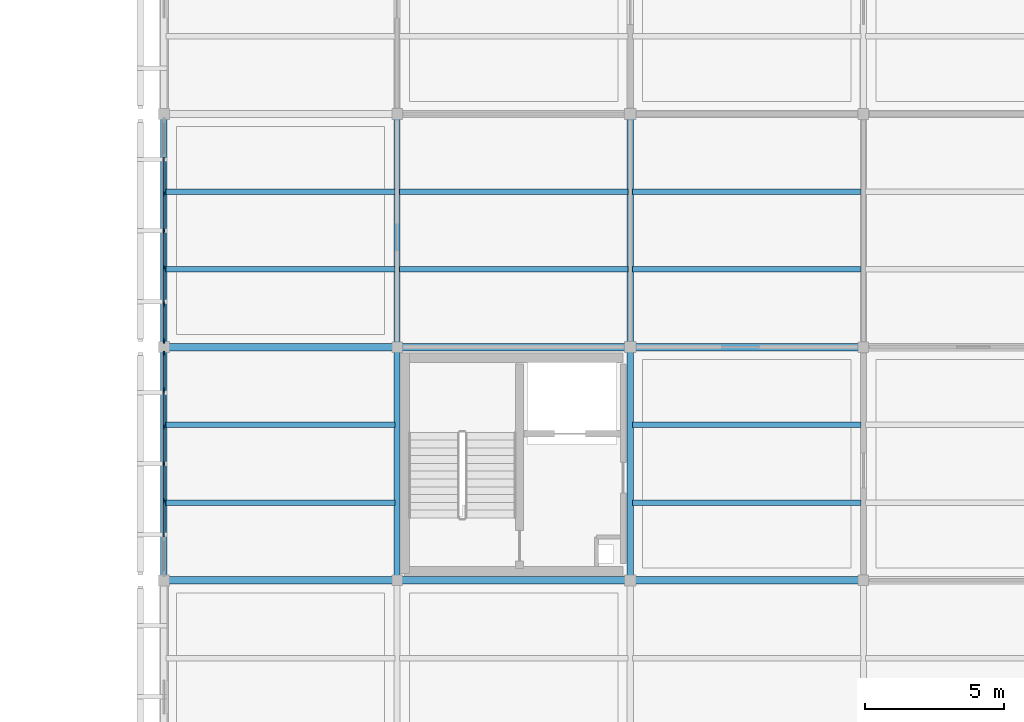
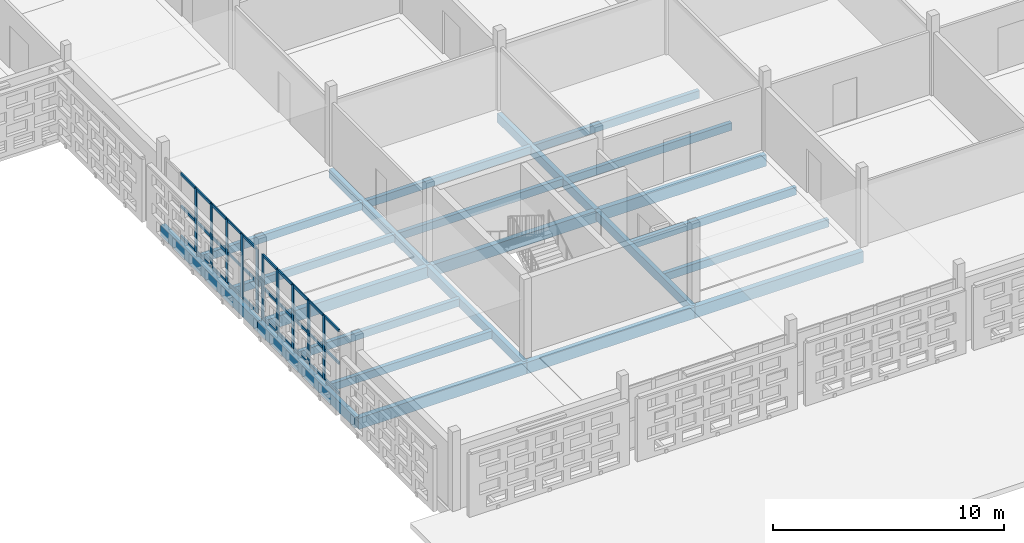
# One storey, part 15 of 140: 40 members, 22 beams, 2 elements without a shape of their own.
"""IFC4 building model written with IfcOpenShell, lengths in metres."""

from ifc_helpers import new_model, si_unit, direction, frame, origin, origin_2d, place, context, subcontext, project, spatial, rectangle, extrude, material, layer, layer_set, material_profile, profile_set, type_object, element, aggregate, save


model = new_model("IFC4")

# Units and contexts
model_context = context("Model", 3, precision=1e-05, world=origin(), true_north=direction((0.0, 1.0)))
body_context = subcontext(model_context, "Body", "Model", "MODEL_VIEW")
ifc_project = project(units=[si_unit("LENGTHUNIT", "METRE"), si_unit("AREAUNIT", "SQUARE_METRE"), si_unit("VOLUMEUNIT", "CUBIC_METRE"), si_unit("PLANEANGLEUNIT", "RADIAN"), si_unit("MASSUNIT", "GRAM", prefix="KILO")], contexts=[model_context])

# Site, building, storey
site_placement = place(None, origin())
site = spatial("IfcSite", under=ifc_project, at=site_placement, CompositionType="ELEMENT")
building_placement = place(site_placement, origin())
building = spatial("IfcBuilding", under=site, at=building_placement, Name="Varnapada Polytechnic", CompositionType="ELEMENT")
storey_placement = place(building_placement, frame((0.0, 0.0, 13.800048828125)))
storey = spatial("IfcBuildingStorey", under=building, at=storey_placement, Name="L03", CompositionType="ELEMENT", Elevation=13.800048828125)

# Beams
ifc_material_1 = material(Name="Glulam GL32h", Category="wood")
ifc_material_profile_1 = material_profile(ifc_material_1, rectangle(XDim=0.199951171875, YDim=0.39990234375, at=origin_2d()), Name="GL 200x400")
ifc_profile_set_1 = profile_set([ifc_material_profile_1], Name="Glulam GL32h")
beam_type_1 = type_object("IfcBeamType", Name="Library/laboratory glulam floor joist GJ-01 (GL 200x400)", PredefinedType="JOIST", material=ifc_profile_set_1)
for number, where, z_axis, x_axis, name in (
    (1, (8.47998046875, 19.60009765625, -0.469970703125), (1.0, 0.0, 0.0), (0.0, 1.0, 0.0), "L03 floor joist 2/3.1"),
    (2, (8.47998046875, 22.39990234375, -0.469970703125), (1.0, 0.0, 0.0), (0.0, 1.0, 0.0), "L03 floor joist 2/3.2"),
    (3, (8.47998046875, 28.0, -0.469970703125), (1.0, 0.0, 0.0), (0.0, 1.0, 0.0), "L03 floor joist 2/4.1"),
    (4, (8.47998046875, 30.800048828125, -0.469970703125), (1.0, 0.0, 0.0), (0.0, 1.0, 0.0), "L03 floor joist 2/4.2"),
):
    element("IfcBeam", number, at=place(storey_placement, frame(where, z_axis=z_axis, x_axis=x_axis)), inside=storey, type_object=beam_type_1, Name=name, PredefinedType="JOIST", context=body_context, shape_type="SweptSolid", body=[
        extrude(rectangle(XDim=0.199951171875, YDim=0.39990234375, at=origin_2d()), origin(), (0.0, 0.0, 1.0), 8.239990234375),
    ])
for number, where, z_axis, x_axis, name in (
    (5, (16.8798828125, 28.0, -0.469970703125), (1.0, 0.0, 0.0), (0.0, 1.0, 0.0), "L03 floor joist 3/4.1"),
    (6, (16.8798828125, 30.800048828125, -0.469970703125), (1.0, 0.0, 0.0), (0.0, 1.0, 0.0), "L03 floor joist 3/4.2"),
):
    element("IfcBeam", number, at=place(storey_placement, frame(where, z_axis=z_axis, x_axis=x_axis)), inside=storey, type_object=beam_type_1, Name=name, PredefinedType="JOIST", context=body_context, shape_type="SweptSolid", body=[
        extrude(rectangle(XDim=0.199951171875, YDim=0.39990234375, at=origin_2d()), origin(), (0.0, 0.0, 1.0), 8.240234375),
    ])
for number, where, z_axis, x_axis, name in (
    (7, (25.280029296875, 19.60009765625, -0.469970703125), (1.0, 0.0, 0.0), (0.0, 1.0, 0.0), "L03 floor joist 4/3.1"),
    (8, (25.280029296875, 22.39990234375, -0.469970703125), (1.0, 0.0, 0.0), (0.0, 1.0, 0.0), "L03 floor joist 4/3.2"),
    (9, (25.280029296875, 28.0, -0.469970703125), (1.0, 0.0, 0.0), (0.0, 1.0, 0.0), "L03 floor joist 4/4.1"),
    (10, (25.280029296875, 30.800048828125, -0.469970703125), (1.0, 0.0, 0.0), (0.0, 1.0, 0.0), "L03 floor joist 4/4.2"),
):
    element("IfcBeam", number, at=place(storey_placement, frame(where, z_axis=z_axis, x_axis=x_axis)), inside=storey, type_object=beam_type_1, Name=name, PredefinedType="JOIST", context=body_context, shape_type="SweptSolid", body=[
        extrude(rectangle(XDim=0.199951171875, YDim=0.39990234375, at=origin_2d()), origin(), (0.0, 0.0, 1.0), 8.239990234375),
    ])

# Curtain wall, members
ifc_material_2 = material(Name="Double low-E laminated glass", Category="glass")
ifc_layer = layer(ifc_material_2, 0.179931640625)
ifc_layer_set = layer_set([ifc_layer], Name="Double low-E laminated glass")
curtain_wall_type = type_object("IfcCurtainWallType", Name="Curtain Wall CW-03", PredefinedType="NOTDEFINED", material=ifc_layer_set)
curtain_wall_1_placement = place(storey_placement, origin())
curtain_wall_1 = element("IfcCurtainWall", 11, at=curtain_wall_1_placement, inside=storey, type_object=curtain_wall_type, Name="L03 unitised curtain wall CW-03 (211)", PredefinedType="NOTDEFINED")
ifc_material_3 = material(Name="Anodised aluminium", Category="aluminium")
ifc_material_profile_2 = material_profile(ifc_material_3, rectangle(XDim=0.06494140625, YDim=0.179931640625, at=origin_2d()), Name="ALU M65x180")
ifc_profile_set_2 = profile_set([ifc_material_profile_2], Name="Anodised aluminium")
member_type_1 = type_object("IfcMemberType", Name="Mullion M-02", PredefinedType="MULLION", material=ifc_profile_set_2)
member_1_placement = place(storey_placement, frame((8.39990234375, 19.666748046875, 0.0), z_axis=(0.0, 0.0, 1.0), x_axis=(-1.0, 0.0, 0.0)))
member_1 = element("IfcMember", 12, at=member_1_placement, type_object=member_type_1, Name="CW-03 mullion 3", PredefinedType="MULLION", context=body_context, shape_type="SweptSolid", body=[
    extrude(rectangle(XDim=0.06494140625, YDim=0.179931640625, at=origin_2d()), origin(), (0.0, 0.0, 1.0), 3.35986328125),
])
member_2_placement = place(storey_placement, frame((8.39990234375, 21.0, 0.0), z_axis=(0.0, 0.0, 1.0), x_axis=(-1.0, 0.0, 0.0)))
member_2 = element("IfcMember", 13, at=member_2_placement, type_object=member_type_1, Name="CW-03 mullion 4", PredefinedType="MULLION", context=body_context, shape_type="SweptSolid", body=[
    extrude(rectangle(XDim=0.06494140625, YDim=0.179931640625, at=origin_2d()), origin(), (0.0, 0.0, 1.0), 3.35986328125),
])
member_3_placement = place(storey_placement, frame((8.39990234375, 22.333251953125, 0.0), z_axis=(0.0, 0.0, 1.0), x_axis=(-1.0, 0.0, 0.0)))
member_3 = element("IfcMember", 14, at=member_3_placement, type_object=member_type_1, Name="CW-03 mullion 5", PredefinedType="MULLION", context=body_context, shape_type="SweptSolid", body=[
    extrude(rectangle(XDim=0.06494140625, YDim=0.179931640625, at=origin_2d()), origin(), (0.0, 0.0, 1.0), 3.35986328125),
])
member_4_placement = place(storey_placement, frame((8.39990234375, 23.666748046875, 0.0), z_axis=(0.0, 0.0, 1.0), x_axis=(-1.0, 0.0, 0.0)))
member_4 = element("IfcMember", 15, at=member_4_placement, type_object=member_type_1, Name="CW-03 mullion 6", PredefinedType="MULLION", context=body_context, shape_type="SweptSolid", body=[
    extrude(rectangle(XDim=0.06494140625, YDim=0.179931640625, at=origin_2d()), origin(), (0.0, 0.0, 1.0), 3.35986328125),
])
member_5_placement = place(storey_placement, frame((8.39990234375, 24.967529296875, 0.0), z_axis=(0.0, 0.0, 1.0), x_axis=(-1.0, 0.0, 0.0)))
member_5 = element("IfcMember", 16, at=member_5_placement, type_object=member_type_1, Name="CW-03 mullion 7", PredefinedType="MULLION", context=body_context, shape_type="SweptSolid", body=[
    extrude(rectangle(XDim=0.06494140625, YDim=0.179931640625, at=origin_2d()), origin(), (0.0, 0.0, 1.0), 3.35986328125),
])

curtain_wall_2_placement = place(storey_placement, origin())
curtain_wall_2 = element("IfcCurtainWall", 17, at=curtain_wall_2_placement, inside=storey, type_object=curtain_wall_type, Name="L03 unitised curtain wall CW-03 (212)", PredefinedType="NOTDEFINED")
member_6_placement = place(storey_placement, frame((8.39990234375, 25.4326171875, 0.0), z_axis=(0.0, 0.0, 1.0), x_axis=(-1.0, 0.0, 0.0)))
member_6 = element("IfcMember", 18, at=member_6_placement, type_object=member_type_1, Name="CW-03 mullion 1", PredefinedType="MULLION", context=body_context, shape_type="SweptSolid", body=[
    extrude(rectangle(XDim=0.06494140625, YDim=0.179931640625, at=origin_2d()), origin(), (0.0, 0.0, 1.0), 3.35986328125),
])
member_7_placement = place(storey_placement, frame((8.39990234375, 26.7333984375, 0.0), z_axis=(0.0, 0.0, 1.0), x_axis=(-1.0, 0.0, 0.0)))
member_7 = element("IfcMember", 19, at=member_7_placement, type_object=member_type_1, Name="CW-03 mullion 2", PredefinedType="MULLION", context=body_context, shape_type="SweptSolid", body=[
    extrude(rectangle(XDim=0.06494140625, YDim=0.179931640625, at=origin_2d()), origin(), (0.0, 0.0, 1.0), 3.35986328125),
])
member_8_placement = place(storey_placement, frame((8.39990234375, 28.066650390625, 0.0), z_axis=(0.0, 0.0, 1.0), x_axis=(-1.0, 0.0, 0.0)))
member_8 = element("IfcMember", 20, at=member_8_placement, type_object=member_type_1, Name="CW-03 mullion 3", PredefinedType="MULLION", context=body_context, shape_type="SweptSolid", body=[
    extrude(rectangle(XDim=0.06494140625, YDim=0.179931640625, at=origin_2d()), origin(), (0.0, 0.0, 1.0), 3.35986328125),
])
member_9_placement = place(storey_placement, frame((8.39990234375, 29.39990234375, 0.0), z_axis=(0.0, 0.0, 1.0), x_axis=(-1.0, 0.0, 0.0)))
member_9 = element("IfcMember", 21, at=member_9_placement, type_object=member_type_1, Name="CW-03 mullion 4", PredefinedType="MULLION", context=body_context, shape_type="SweptSolid", body=[
    extrude(rectangle(XDim=0.06494140625, YDim=0.179931640625, at=origin_2d()), origin(), (0.0, 0.0, 1.0), 3.35986328125),
])
member_10_placement = place(storey_placement, frame((8.39990234375, 30.7333984375, 0.0), z_axis=(0.0, 0.0, 1.0), x_axis=(-1.0, 0.0, 0.0)))
member_10 = element("IfcMember", 22, at=member_10_placement, type_object=member_type_1, Name="CW-03 mullion 5", PredefinedType="MULLION", context=body_context, shape_type="SweptSolid", body=[
    extrude(rectangle(XDim=0.06494140625, YDim=0.179931640625, at=origin_2d()), origin(), (0.0, 0.0, 1.0), 3.35986328125),
])

# Beams
ifc_material_profile_3 = material_profile(ifc_material_1, rectangle(XDim=0.239990234375, YDim=0.56005859375, at=origin_2d()), Name="GL 240x560")
ifc_profile_set_3 = profile_set([ifc_material_profile_3], Name="Glulam GL32h")
beam_type_2 = type_object("IfcBeamType", Name="Perimeter glulam spandrel beam SP-02 (GL 240x560)", PredefinedType="SPANDREL", material=ifc_profile_set_3)
beam_1_placement = place(storey_placement, frame((8.39990234375, 16.800048828125, -0.550048828125), z_axis=(0.0, 1.0, 0.0), x_axis=(-1.0, 0.0, 0.0)))
element("IfcBeam", 23, at=beam_1_placement, inside=storey, type_object=beam_type_2, Name="L03 beam Y 3-4 at X2", PredefinedType="SPANDREL", context=body_context, shape_type="SweptSolid", body=[
    extrude(rectangle(XDim=0.239990234375, YDim=0.56005859375, at=origin_2d()), origin(), (0.0, 0.0, 1.0), 8.39990234375),
])
beam_2_placement = place(storey_placement, frame((8.39990234375, 25.199951171875, -0.550048828125), z_axis=(0.0, 1.0, 0.0), x_axis=(-1.0, 0.0, 0.0)))
element("IfcBeam", 24, at=beam_2_placement, inside=storey, type_object=beam_type_2, Name="L03 beam Y 4-5 at X2", PredefinedType="SPANDREL", context=body_context, shape_type="SweptSolid", body=[
    extrude(rectangle(XDim=0.239990234375, YDim=0.56005859375, at=origin_2d()), origin(), (0.0, 0.0, 1.0), 8.400146484375),
])
ifc_material_profile_4 = material_profile(ifc_material_1, rectangle(XDim=0.260009765625, YDim=0.60009765625, at=origin_2d()), Name="GL 260x600")
ifc_profile_set_4 = profile_set([ifc_material_profile_4], Name="Glulam GL32h")
beam_type_3 = type_object("IfcBeamType", Name="Seminar wing glulam girder GG-05 (GL 260x600)", PredefinedType="BEAM", material=ifc_profile_set_4)
for number, where, z_axis, x_axis, name in (
    (25, (8.39990234375, 16.800048828125, -0.570068359375), (1.0, 0.0, 0.0), (0.0, 1.0, 0.0), "L03 beam X 2-3 at Y3"),
    (26, (8.39990234375, 25.199951171875, -0.570068359375), (1.0, 0.0, 0.0), (0.0, 1.0, 0.0), "L03 beam X 2-3 at Y4"),
):
    element("IfcBeam", number, at=place(storey_placement, frame(where, z_axis=z_axis, x_axis=x_axis)), inside=storey, type_object=beam_type_3, Name=name, PredefinedType="BEAM", context=body_context, shape_type="SweptSolid", body=[
        extrude(rectangle(XDim=0.260009765625, YDim=0.60009765625, at=origin_2d()), origin(), (0.0, 0.0, 1.0), 8.400146484375),
    ])
for number, where, z_axis, x_axis, name in (
    (27, (16.800048828125, 16.800048828125, -0.570068359375), (1.0, 0.0, 0.0), (0.0, 1.0, 0.0), "L03 beam X 3-4 at Y3"),
    (28, (16.800048828125, 25.199951171875, -0.570068359375), (1.0, 0.0, 0.0), (0.0, 1.0, 0.0), "L03 beam X 3-4 at Y4"),
):
    element("IfcBeam", number, at=place(storey_placement, frame(where, z_axis=z_axis, x_axis=x_axis)), inside=storey, type_object=beam_type_3, Name=name, PredefinedType="BEAM", context=body_context, shape_type="SweptSolid", body=[
        extrude(rectangle(XDim=0.260009765625, YDim=0.60009765625, at=origin_2d()), origin(), (0.0, 0.0, 1.0), 8.39990234375),
    ])
for number, where, z_axis, x_axis, name in (
    (29, (25.199951171875, 16.800048828125, -0.570068359375), (1.0, 0.0, 0.0), (0.0, 1.0, 0.0), "L03 beam X 4-5 at Y3"),
    (30, (25.199951171875, 25.199951171875, -0.570068359375), (1.0, 0.0, 0.0), (0.0, 1.0, 0.0), "L03 beam X 4-5 at Y4"),
):
    element("IfcBeam", number, at=place(storey_placement, frame(where, z_axis=z_axis, x_axis=x_axis)), inside=storey, type_object=beam_type_3, Name=name, PredefinedType="BEAM", context=body_context, shape_type="SweptSolid", body=[
        extrude(rectangle(XDim=0.260009765625, YDim=0.60009765625, at=origin_2d()), origin(), (0.0, 0.0, 1.0), 8.400146484375),
    ])

# Member
ifc_material_profile_5 = material_profile(ifc_material_3, rectangle(XDim=0.06494140625, YDim=0.139892578125, at=origin_2d()), Name="ALU T65x140")
ifc_profile_set_5 = profile_set([ifc_material_profile_5], Name="Anodised aluminium")
member_type_2 = type_object("IfcMemberType", Name="Transom T-02", PredefinedType="USERDEFINED", material=ifc_profile_set_5)
member_11_placement = place(storey_placement, frame((8.39990234375, 18.36572265625, 0.032470703125), z_axis=(0.0, 1.0, 0.0), x_axis=(-1.0, 0.0, 0.0)))
member_11 = element("IfcMember", 31, at=member_11_placement, type_object=member_type_2, Name="CW-03 transom 2.1", ObjectType="TRANSOM", PredefinedType="USERDEFINED", context=body_context, shape_type="SweptSolid", body=[
    extrude(rectangle(XDim=0.06494140625, YDim=0.139892578125, at=origin_2d()), origin(), (0.0, 0.0, 1.0), 1.2685546875),
])

member_12_placement = place(storey_placement, frame((8.39990234375, 18.36572265625, 1.61279296875), z_axis=(0.0, 1.0, 0.0), x_axis=(-1.0, 0.0, 0.0)))
member_12 = element("IfcMember", 32, at=member_12_placement, type_object=member_type_2, Name="CW-03 transom 2.2", ObjectType="TRANSOM", PredefinedType="USERDEFINED", context=body_context, shape_type="SweptSolid", body=[
    extrude(rectangle(XDim=0.06494140625, YDim=0.139892578125, at=origin_2d()), origin(), (0.0, 0.0, 1.0), 1.2685546875),
])

member_13_placement = place(storey_placement, frame((8.39990234375, 18.36572265625, 3.327392578125), z_axis=(0.0, 1.0, 0.0), x_axis=(-1.0, 0.0, 0.0)))
member_13 = element("IfcMember", 33, at=member_13_placement, type_object=member_type_2, Name="CW-03 transom 2.3", ObjectType="TRANSOM", PredefinedType="USERDEFINED", context=body_context, shape_type="SweptSolid", body=[
    extrude(rectangle(XDim=0.06494140625, YDim=0.139892578125, at=origin_2d()), origin(), (0.0, 0.0, 1.0), 1.2685546875),
])

member_14_placement = place(storey_placement, frame((8.39990234375, 19.69921875, 0.032470703125), z_axis=(0.0, 1.0, 0.0), x_axis=(-1.0, 0.0, 0.0)))
member_14 = element("IfcMember", 34, at=member_14_placement, type_object=member_type_2, Name="CW-03 transom 3.1", ObjectType="TRANSOM", PredefinedType="USERDEFINED", context=body_context, shape_type="SweptSolid", body=[
    extrude(rectangle(XDim=0.06494140625, YDim=0.139892578125, at=origin_2d()), origin(), (0.0, 0.0, 1.0), 1.268310546875),
])

member_15_placement = place(storey_placement, frame((8.39990234375, 19.69921875, 1.61279296875), z_axis=(0.0, 1.0, 0.0), x_axis=(-1.0, 0.0, 0.0)))
member_15 = element("IfcMember", 35, at=member_15_placement, type_object=member_type_2, Name="CW-03 transom 3.2", ObjectType="TRANSOM", PredefinedType="USERDEFINED", context=body_context, shape_type="SweptSolid", body=[
    extrude(rectangle(XDim=0.06494140625, YDim=0.139892578125, at=origin_2d()), origin(), (0.0, 0.0, 1.0), 1.268310546875),
])

member_16_placement = place(storey_placement, frame((8.39990234375, 19.69921875, 3.327392578125), z_axis=(0.0, 1.0, 0.0), x_axis=(-1.0, 0.0, 0.0)))
member_16 = element("IfcMember", 36, at=member_16_placement, type_object=member_type_2, Name="CW-03 transom 3.3", ObjectType="TRANSOM", PredefinedType="USERDEFINED", context=body_context, shape_type="SweptSolid", body=[
    extrude(rectangle(XDim=0.06494140625, YDim=0.139892578125, at=origin_2d()), origin(), (0.0, 0.0, 1.0), 1.268310546875),
])

member_17_placement = place(storey_placement, frame((8.39990234375, 21.032470703125, 0.032470703125), z_axis=(0.0, 1.0, 0.0), x_axis=(-1.0, 0.0, 0.0)))
member_17 = element("IfcMember", 37, at=member_17_placement, type_object=member_type_2, Name="CW-03 transom 4.1", ObjectType="TRANSOM", PredefinedType="USERDEFINED", context=body_context, shape_type="SweptSolid", body=[
    extrude(rectangle(XDim=0.06494140625, YDim=0.139892578125, at=origin_2d()), origin(), (0.0, 0.0, 1.0), 1.268310546875),
])

member_18_placement = place(storey_placement, frame((8.39990234375, 21.032470703125, 1.61279296875), z_axis=(0.0, 1.0, 0.0), x_axis=(-1.0, 0.0, 0.0)))
member_18 = element("IfcMember", 38, at=member_18_placement, type_object=member_type_2, Name="CW-03 transom 4.2", ObjectType="TRANSOM", PredefinedType="USERDEFINED", context=body_context, shape_type="SweptSolid", body=[
    extrude(rectangle(XDim=0.06494140625, YDim=0.139892578125, at=origin_2d()), origin(), (0.0, 0.0, 1.0), 1.268310546875),
])

member_19_placement = place(storey_placement, frame((8.39990234375, 21.032470703125, 3.327392578125), z_axis=(0.0, 1.0, 0.0), x_axis=(-1.0, 0.0, 0.0)))
member_19 = element("IfcMember", 39, at=member_19_placement, type_object=member_type_2, Name="CW-03 transom 4.3", ObjectType="TRANSOM", PredefinedType="USERDEFINED", context=body_context, shape_type="SweptSolid", body=[
    extrude(rectangle(XDim=0.06494140625, YDim=0.139892578125, at=origin_2d()), origin(), (0.0, 0.0, 1.0), 1.268310546875),
])

member_20_placement = place(storey_placement, frame((8.39990234375, 22.36572265625, 0.032470703125), z_axis=(0.0, 1.0, 0.0), x_axis=(-1.0, 0.0, 0.0)))
member_20 = element("IfcMember", 40, at=member_20_placement, type_object=member_type_2, Name="CW-03 transom 5.1", ObjectType="TRANSOM", PredefinedType="USERDEFINED", context=body_context, shape_type="SweptSolid", body=[
    extrude(rectangle(XDim=0.06494140625, YDim=0.139892578125, at=origin_2d()), origin(), (0.0, 0.0, 1.0), 1.2685546875),
])

member_21_placement = place(storey_placement, frame((8.39990234375, 22.36572265625, 1.61279296875), z_axis=(0.0, 1.0, 0.0), x_axis=(-1.0, 0.0, 0.0)))
member_21 = element("IfcMember", 41, at=member_21_placement, type_object=member_type_2, Name="CW-03 transom 5.2", ObjectType="TRANSOM", PredefinedType="USERDEFINED", context=body_context, shape_type="SweptSolid", body=[
    extrude(rectangle(XDim=0.06494140625, YDim=0.139892578125, at=origin_2d()), origin(), (0.0, 0.0, 1.0), 1.2685546875),
])

member_22_placement = place(storey_placement, frame((8.39990234375, 22.36572265625, 3.327392578125), z_axis=(0.0, 1.0, 0.0), x_axis=(-1.0, 0.0, 0.0)))
member_22 = element("IfcMember", 42, at=member_22_placement, type_object=member_type_2, Name="CW-03 transom 5.3", ObjectType="TRANSOM", PredefinedType="USERDEFINED", context=body_context, shape_type="SweptSolid", body=[
    extrude(rectangle(XDim=0.06494140625, YDim=0.139892578125, at=origin_2d()), origin(), (0.0, 0.0, 1.0), 1.2685546875),
])

member_23_placement = place(storey_placement, frame((8.39990234375, 23.69921875, 0.032470703125), z_axis=(0.0, 1.0, 0.0), x_axis=(-1.0, 0.0, 0.0)))
member_23 = element("IfcMember", 43, at=member_23_placement, type_object=member_type_2, Name="CW-03 transom 6.1", ObjectType="TRANSOM", PredefinedType="USERDEFINED", context=body_context, shape_type="SweptSolid", body=[
    extrude(rectangle(XDim=0.06494140625, YDim=0.139892578125, at=origin_2d()), origin(), (0.0, 0.0, 1.0), 1.23583984375),
])

member_24_placement = place(storey_placement, frame((8.39990234375, 23.69921875, 1.61279296875), z_axis=(0.0, 1.0, 0.0), x_axis=(-1.0, 0.0, 0.0)))
member_24 = element("IfcMember", 44, at=member_24_placement, type_object=member_type_2, Name="CW-03 transom 6.2", ObjectType="TRANSOM", PredefinedType="USERDEFINED", context=body_context, shape_type="SweptSolid", body=[
    extrude(rectangle(XDim=0.06494140625, YDim=0.139892578125, at=origin_2d()), origin(), (0.0, 0.0, 1.0), 1.23583984375),
])

member_25_placement = place(storey_placement, frame((8.39990234375, 23.69921875, 3.327392578125), z_axis=(0.0, 1.0, 0.0), x_axis=(-1.0, 0.0, 0.0)))
member_25 = element("IfcMember", 45, at=member_25_placement, type_object=member_type_2, Name="CW-03 transom 6.3", ObjectType="TRANSOM", PredefinedType="USERDEFINED", context=body_context, shape_type="SweptSolid", body=[
    extrude(rectangle(XDim=0.06494140625, YDim=0.139892578125, at=origin_2d()), origin(), (0.0, 0.0, 1.0), 1.23583984375),
])

aggregate(curtain_wall_1, [member_1, member_2, member_3, member_4, member_5, member_11, member_12, member_13, member_14, member_15, member_16, member_17, member_18, member_19, member_20, member_21, member_22, member_23, member_24, member_25])

member_26_placement = place(storey_placement, frame((8.39990234375, 25.465087890625, 0.032470703125), z_axis=(0.0, 1.0, 0.0), x_axis=(-1.0, 0.0, 0.0)))
member_26 = element("IfcMember", 46, at=member_26_placement, type_object=member_type_2, Name="CW-03 transom 1.1", ObjectType="TRANSOM", PredefinedType="USERDEFINED", context=body_context, shape_type="SweptSolid", body=[
    extrude(rectangle(XDim=0.06494140625, YDim=0.139892578125, at=origin_2d()), origin(), (0.0, 0.0, 1.0), 1.23583984375),
])

member_27_placement = place(storey_placement, frame((8.39990234375, 25.465087890625, 1.61279296875), z_axis=(0.0, 1.0, 0.0), x_axis=(-1.0, 0.0, 0.0)))
member_27 = element("IfcMember", 47, at=member_27_placement, type_object=member_type_2, Name="CW-03 transom 1.2", ObjectType="TRANSOM", PredefinedType="USERDEFINED", context=body_context, shape_type="SweptSolid", body=[
    extrude(rectangle(XDim=0.06494140625, YDim=0.139892578125, at=origin_2d()), origin(), (0.0, 0.0, 1.0), 1.23583984375),
])

member_28_placement = place(storey_placement, frame((8.39990234375, 25.465087890625, 3.327392578125), z_axis=(0.0, 1.0, 0.0), x_axis=(-1.0, 0.0, 0.0)))
member_28 = element("IfcMember", 48, at=member_28_placement, type_object=member_type_2, Name="CW-03 transom 1.3", ObjectType="TRANSOM", PredefinedType="USERDEFINED", context=body_context, shape_type="SweptSolid", body=[
    extrude(rectangle(XDim=0.06494140625, YDim=0.139892578125, at=origin_2d()), origin(), (0.0, 0.0, 1.0), 1.23583984375),
])

member_29_placement = place(storey_placement, frame((8.39990234375, 26.765869140625, 0.032470703125), z_axis=(0.0, 1.0, 0.0), x_axis=(-1.0, 0.0, 0.0)))
member_29 = element("IfcMember", 49, at=member_29_placement, type_object=member_type_2, Name="CW-03 transom 2.1", ObjectType="TRANSOM", PredefinedType="USERDEFINED", context=body_context, shape_type="SweptSolid", body=[
    extrude(rectangle(XDim=0.06494140625, YDim=0.139892578125, at=origin_2d()), origin(), (0.0, 0.0, 1.0), 1.268310546875),
])

member_30_placement = place(storey_placement, frame((8.39990234375, 26.765869140625, 1.61279296875), z_axis=(0.0, 1.0, 0.0), x_axis=(-1.0, 0.0, 0.0)))
member_30 = element("IfcMember", 50, at=member_30_placement, type_object=member_type_2, Name="CW-03 transom 2.2", ObjectType="TRANSOM", PredefinedType="USERDEFINED", context=body_context, shape_type="SweptSolid", body=[
    extrude(rectangle(XDim=0.06494140625, YDim=0.139892578125, at=origin_2d()), origin(), (0.0, 0.0, 1.0), 1.268310546875),
])

member_31_placement = place(storey_placement, frame((8.39990234375, 26.765869140625, 3.327392578125), z_axis=(0.0, 1.0, 0.0), x_axis=(-1.0, 0.0, 0.0)))
member_31 = element("IfcMember", 51, at=member_31_placement, type_object=member_type_2, Name="CW-03 transom 2.3", ObjectType="TRANSOM", PredefinedType="USERDEFINED", context=body_context, shape_type="SweptSolid", body=[
    extrude(rectangle(XDim=0.06494140625, YDim=0.139892578125, at=origin_2d()), origin(), (0.0, 0.0, 1.0), 1.268310546875),
])

member_32_placement = place(storey_placement, frame((8.39990234375, 28.09912109375, 0.032470703125), z_axis=(0.0, 1.0, 0.0), x_axis=(-1.0, 0.0, 0.0)))
member_32 = element("IfcMember", 52, at=member_32_placement, type_object=member_type_2, Name="CW-03 transom 3.1", ObjectType="TRANSOM", PredefinedType="USERDEFINED", context=body_context, shape_type="SweptSolid", body=[
    extrude(rectangle(XDim=0.06494140625, YDim=0.139892578125, at=origin_2d()), origin(), (0.0, 0.0, 1.0), 1.268310546875),
])

member_33_placement = place(storey_placement, frame((8.39990234375, 28.09912109375, 1.61279296875), z_axis=(0.0, 1.0, 0.0), x_axis=(-1.0, 0.0, 0.0)))
member_33 = element("IfcMember", 53, at=member_33_placement, type_object=member_type_2, Name="CW-03 transom 3.2", ObjectType="TRANSOM", PredefinedType="USERDEFINED", context=body_context, shape_type="SweptSolid", body=[
    extrude(rectangle(XDim=0.06494140625, YDim=0.139892578125, at=origin_2d()), origin(), (0.0, 0.0, 1.0), 1.268310546875),
])

member_34_placement = place(storey_placement, frame((8.39990234375, 28.09912109375, 3.327392578125), z_axis=(0.0, 1.0, 0.0), x_axis=(-1.0, 0.0, 0.0)))
member_34 = element("IfcMember", 54, at=member_34_placement, type_object=member_type_2, Name="CW-03 transom 3.3", ObjectType="TRANSOM", PredefinedType="USERDEFINED", context=body_context, shape_type="SweptSolid", body=[
    extrude(rectangle(XDim=0.06494140625, YDim=0.139892578125, at=origin_2d()), origin(), (0.0, 0.0, 1.0), 1.268310546875),
])

member_35_placement = place(storey_placement, frame((8.39990234375, 29.4326171875, 0.032470703125), z_axis=(0.0, 1.0, 0.0), x_axis=(-1.0, 0.0, 0.0)))
member_35 = element("IfcMember", 55, at=member_35_placement, type_object=member_type_2, Name="CW-03 transom 4.1", ObjectType="TRANSOM", PredefinedType="USERDEFINED", context=body_context, shape_type="SweptSolid", body=[
    extrude(rectangle(XDim=0.06494140625, YDim=0.139892578125, at=origin_2d()), origin(), (0.0, 0.0, 1.0), 1.268310546875),
])

member_36_placement = place(storey_placement, frame((8.39990234375, 29.4326171875, 1.61279296875), z_axis=(0.0, 1.0, 0.0), x_axis=(-1.0, 0.0, 0.0)))
member_36 = element("IfcMember", 56, at=member_36_placement, type_object=member_type_2, Name="CW-03 transom 4.2", ObjectType="TRANSOM", PredefinedType="USERDEFINED", context=body_context, shape_type="SweptSolid", body=[
    extrude(rectangle(XDim=0.06494140625, YDim=0.139892578125, at=origin_2d()), origin(), (0.0, 0.0, 1.0), 1.268310546875),
])

member_37_placement = place(storey_placement, frame((8.39990234375, 29.4326171875, 3.327392578125), z_axis=(0.0, 1.0, 0.0), x_axis=(-1.0, 0.0, 0.0)))
member_37 = element("IfcMember", 57, at=member_37_placement, type_object=member_type_2, Name="CW-03 transom 4.3", ObjectType="TRANSOM", PredefinedType="USERDEFINED", context=body_context, shape_type="SweptSolid", body=[
    extrude(rectangle(XDim=0.06494140625, YDim=0.139892578125, at=origin_2d()), origin(), (0.0, 0.0, 1.0), 1.268310546875),
])

member_38_placement = place(storey_placement, frame((8.39990234375, 30.765869140625, 0.032470703125), z_axis=(0.0, 1.0, 0.0), x_axis=(-1.0, 0.0, 0.0)))
member_38 = element("IfcMember", 58, at=member_38_placement, type_object=member_type_2, Name="CW-03 transom 5.1", ObjectType="TRANSOM", PredefinedType="USERDEFINED", context=body_context, shape_type="SweptSolid", body=[
    extrude(rectangle(XDim=0.06494140625, YDim=0.139892578125, at=origin_2d()), origin(), (0.0, 0.0, 1.0), 1.268310546875),
])

member_39_placement = place(storey_placement, frame((8.39990234375, 30.765869140625, 1.61279296875), z_axis=(0.0, 1.0, 0.0), x_axis=(-1.0, 0.0, 0.0)))
member_39 = element("IfcMember", 59, at=member_39_placement, type_object=member_type_2, Name="CW-03 transom 5.2", ObjectType="TRANSOM", PredefinedType="USERDEFINED", context=body_context, shape_type="SweptSolid", body=[
    extrude(rectangle(XDim=0.06494140625, YDim=0.139892578125, at=origin_2d()), origin(), (0.0, 0.0, 1.0), 1.268310546875),
])

member_40_placement = place(storey_placement, frame((8.39990234375, 30.765869140625, 3.327392578125), z_axis=(0.0, 1.0, 0.0), x_axis=(-1.0, 0.0, 0.0)))
member_40 = element("IfcMember", 60, at=member_40_placement, type_object=member_type_2, Name="CW-03 transom 5.3", ObjectType="TRANSOM", PredefinedType="USERDEFINED", context=body_context, shape_type="SweptSolid", body=[
    extrude(rectangle(XDim=0.06494140625, YDim=0.139892578125, at=origin_2d()), origin(), (0.0, 0.0, 1.0), 1.268310546875),
])

aggregate(curtain_wall_2, [member_6, member_7, member_8, member_9, member_10, member_26, member_27, member_28, member_29, member_30, member_31, member_32, member_33, member_34, member_35, member_36, member_37, member_38, member_39, member_40])

# Beams
ifc_material_profile_6 = material_profile(ifc_material_1, rectangle(XDim=0.219970703125, YDim=0.47998046875, at=origin_2d()), Name="GL 220x480")
ifc_profile_set_6 = profile_set([ifc_material_profile_6], Name="Glulam GL32h")
beam_type_4 = type_object("IfcBeamType", Name="Upper floor glulam tie beam GB-11 (GL 220x480)", PredefinedType="BEAM", material=ifc_profile_set_6)
beam_3_placement = place(storey_placement, frame((16.800048828125, 16.800048828125, -0.510009765625), z_axis=(0.0, 1.0, 0.0), x_axis=(-1.0, 0.0, 0.0)))
element("IfcBeam", 61, at=beam_3_placement, inside=storey, type_object=beam_type_4, Name="L03 beam Y 3-4 at X3", PredefinedType="BEAM", context=body_context, shape_type="SweptSolid", body=[
    extrude(rectangle(XDim=0.219970703125, YDim=0.47998046875, at=origin_2d()), origin(), (0.0, 0.0, 1.0), 8.39990234375),
])
beam_4_placement = place(storey_placement, frame((16.800048828125, 25.199951171875, -0.510009765625), z_axis=(0.0, 1.0, 0.0), x_axis=(-1.0, 0.0, 0.0)))
element("IfcBeam", 62, at=beam_4_placement, inside=storey, type_object=beam_type_4, Name="L03 beam Y 4-5 at X3", PredefinedType="BEAM", context=body_context, shape_type="SweptSolid", body=[
    extrude(rectangle(XDim=0.219970703125, YDim=0.47998046875, at=origin_2d()), origin(), (0.0, 0.0, 1.0), 8.400146484375),
])
beam_5_placement = place(storey_placement, frame((25.199951171875, 16.800048828125, -0.510009765625), z_axis=(0.0, 1.0, 0.0), x_axis=(-1.0, 0.0, 0.0)))
element("IfcBeam", 63, at=beam_5_placement, inside=storey, type_object=beam_type_4, Name="L03 beam Y 3-4 at X4", PredefinedType="BEAM", context=body_context, shape_type="SweptSolid", body=[
    extrude(rectangle(XDim=0.219970703125, YDim=0.47998046875, at=origin_2d()), origin(), (0.0, 0.0, 1.0), 8.39990234375),
])
beam_6_placement = place(storey_placement, frame((25.199951171875, 25.199951171875, -0.510009765625), z_axis=(0.0, 1.0, 0.0), x_axis=(-1.0, 0.0, 0.0)))
element("IfcBeam", 64, at=beam_6_placement, inside=storey, type_object=beam_type_4, Name="L03 beam Y 4-5 at X4", PredefinedType="BEAM", context=body_context, shape_type="SweptSolid", body=[
    extrude(rectangle(XDim=0.219970703125, YDim=0.47998046875, at=origin_2d()), origin(), (0.0, 0.0, 1.0), 8.400146484375),
])

save(model, "model.ifc")
